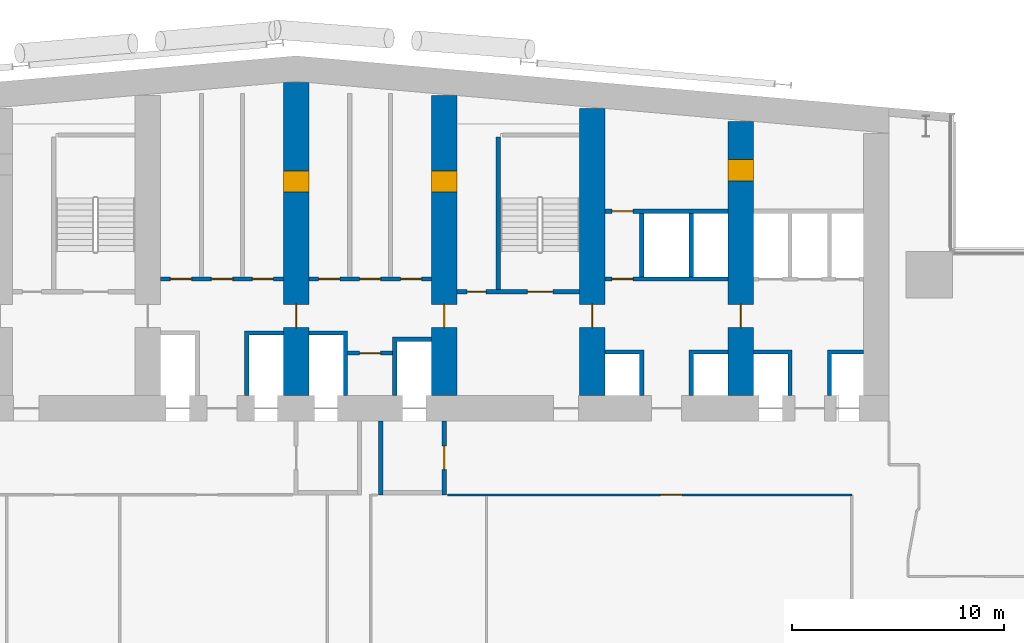
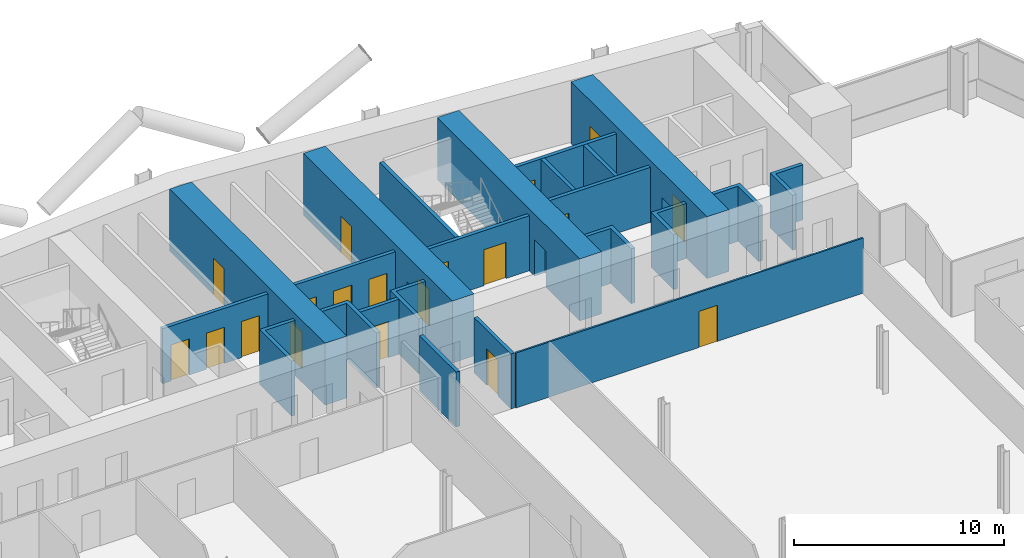
# One storey, part 15 of 25: 23 walls, 20 doors, 20 openings.
"""IFC4 building model written with IfcOpenShell, lengths in metres."""

from ifc_helpers import new_model, si_unit, direction, frame, frame_2d, origin, place, context, subcontext, project, spatial, polyline, rectangle, outline, extrude, material, layer, layer_set, type_object, element, fill, save


model = new_model("IFC4")

# Units and contexts
model_context = context("Model", 3, precision=1e-05, world=origin(), true_north=direction((0.0, 1.0)))
body_context = subcontext(model_context, "Body", "Model", "MODEL_VIEW")
ifc_project = project(units=[si_unit("LENGTHUNIT", "METRE"), si_unit("AREAUNIT", "SQUARE_METRE"), si_unit("VOLUMEUNIT", "CUBIC_METRE"), si_unit("PLANEANGLEUNIT", "RADIAN"), si_unit("MASSUNIT", "GRAM", prefix="KILO")], contexts=[model_context])

# Site, building, storey
site_placement = place(None, origin())
site = spatial("IfcSite", under=ifc_project, at=site_placement, CompositionType="ELEMENT")
building_placement = place(site_placement, origin())
building = spatial("IfcBuilding", under=site, at=building_placement, Name="Wharfspan Tower", CompositionType="ELEMENT")
storey_placement = place(building_placement, frame((0.0, 0.0, 63.100098)))
storey = spatial("IfcBuildingStorey", under=building, at=storey_placement, Name="L12", CompositionType="ELEMENT", Elevation=63.100098)

# Wall, opening, door
ifc_material_1 = material(Name="Gypsum board on steel studs", Category="steel")
ifc_layer_1 = layer(ifc_material_1, 0.100098)
ifc_layer_set_1 = layer_set([ifc_layer_1], Name="Gypsum board on steel studs")
wall_type_1 = type_object("IfcWallType", Name="Compartment wall 100 EI 60", PredefinedType="PARTITIONING", material=ifc_layer_set_1)
wall_1_placement = place(storey_placement, frame((44.149902, 30.5, 0.0), z_axis=(0.0, 0.0, 1.0), x_axis=(1.0, 0.0, 0.0)))
wall_1 = element("IfcWall", 1, at=wall_1_placement, inside=storey, type_object=wall_type_1, Name="Partition L12.w018 (2)", PredefinedType="PARTITIONING", context=body_context, shape_type="SweptSolid", body=[
    extrude(rectangle(XDim=19.100098, YDim=0.100098, at=frame_2d((9.550049, 0.0))), origin(), (0.0, 0.0, 1.0), 3.199951),
])
opening_1_placement = place(wall_1_placement, frame((10.070068, 0.0, 0.0)))
opening_1 = element("IfcOpeningElement", 2, at=opening_1_placement, cuts=wall_1, Name="Opening A3-17", PredefinedType="OPENING", context=body_context, shape_type="SweptSolid", body=[
    extrude(rectangle(XDim=1.0, YDim=2.100098, at=frame_2d((0.5, 1.050049))), frame((0.0, 0.060059, 0.0), z_axis=(0.0, -1.0, 0.0), x_axis=(1.0, 0.0, 0.0)), (0.0, 0.0, 1.0), 0.120117),
])
ifc_material_2 = material(Name="Fire-rated timber door leaf in steel frame", Category="steel")
door_type_1 = type_object("IfcDoorType", Name="Door 1000 FD30S Right", OperationType="SINGLE_SWING_RIGHT", PredefinedType="DOOR", material=ifc_material_2)
door_1_placement = place(opening_1_placement, origin())
door_1 = element("IfcDoor", 3, at=door_1_placement, inside=storey, type_object=door_type_1, Name="Door A3-17", OperationType="SINGLE_SWING_RIGHT", OverallHeight=2.100098, OverallWidth=1.0, PredefinedType="DOOR", context=body_context, shape_type="SweptSolid", body=[
    extrude(rectangle(XDim=1.0, YDim=2.100098, at=frame_2d((0.5, 1.050049))), frame((0.0, 0.024902, 0.0), z_axis=(0.0, -1.0, 0.0), x_axis=(1.0, 0.0, 0.0)), (0.0, 0.0, 1.0), 0.050049),
])
fill(opening_1, door_1)

ifc_material_3 = material(Name="Calcium silicate masonry", Category="masonry")
ifc_layer_2 = layer(ifc_material_3, 0.199951)
ifc_layer_set_2 = layer_set([ifc_layer_2], Name="Calcium silicate masonry")
wall_type_2 = type_object("IfcWallType", Name="Core room wall 200", PredefinedType="PARTITIONING", material=ifc_layer_set_2)
wall_2_placement = place(storey_placement, frame((39.43335, 37.199951, 0.0), z_axis=(0.0, 0.0, 1.0), x_axis=(1.0, 0.0, 0.0)))
wall_2 = element("IfcWall", 4, at=wall_2_placement, inside=storey, type_object=wall_type_2, Name="sw:L12:FR4.2", PredefinedType="PARTITIONING", context=body_context, shape_type="SweptSolid", body=[
    extrude(rectangle(XDim=2.133301, YDim=0.199951, at=frame_2d((1.06665, 0.0))), origin(), (0.0, 0.0, 1.0), 3.199951),
])
opening_2_placement = place(wall_2_placement, frame((0.56665, 0.0, 0.0)))
opening_2 = element("IfcOpeningElement", 5, at=opening_2_placement, cuts=wall_2, Name="Opening CD12.4H2", PredefinedType="OPENING", context=body_context, shape_type="SweptSolid", body=[
    extrude(rectangle(XDim=1.0, YDim=2.100098, at=frame_2d((0.5, 1.050049))), frame((0.0, 0.109863, 0.0), z_axis=(0.0, -1.0, 0.0), x_axis=(1.0, 0.0, 0.0)), (0.0, 0.0, 1.0), 0.219971),
])
ifc_material_4 = material(Name="Steel door leaf", Category="steel")
door_type_2 = type_object("IfcDoorType", Name="Core room door 1000x2100", OperationType="SINGLE_SWING_LEFT", PredefinedType="DOOR", material=ifc_material_4)
door_2_placement = place(opening_2_placement, origin())
door_2 = element("IfcDoor", 6, at=door_2_placement, inside=storey, type_object=door_type_2, Name="d:L12:4:fh4.2", OperationType="SINGLE_SWING_RIGHT", OverallHeight=2.100098, OverallWidth=1.0, PredefinedType="DOOR", context=body_context, shape_type="SweptSolid", body=[
    extrude(rectangle(XDim=1.0, YDim=2.100098, at=frame_2d((0.5, 1.050049))), frame((0.0, 0.024902, 0.0), z_axis=(0.0, -1.0, 0.0), x_axis=(1.0, 0.0, 0.0)), (0.0, 0.0, 1.0), 0.050049),
])
fill(opening_2, door_2)

# Wall, openings, doors
ifc_material_5 = material(Name="Concrete C70/85", Category="concrete")
ifc_layer_3 = layer(ifc_material_5, 1.199951)
ifc_layer_set_3 = layer_set([ifc_layer_3], Name="Concrete C70/85")
wall_type_3 = type_object("IfcWallType", Name="Core wall 1200 C70/85", PredefinedType="SHEAR", material=ifc_layer_set_3)
wall_3_placement = place(storey_placement, frame((37.0, 35.199951, 0.0), z_axis=(0.0, 0.0, 1.0), x_axis=(0.0, 1.0, 0.0)))
wall_3 = element("IfcWall", 7, at=wall_3_placement, inside=storey, type_object=wall_type_3, Name="Core cross wall X4 L12", PredefinedType="SHEAR", context=body_context, shape_type="SweptSolid", body=[
    extrude(rectangle(XDim=14.780029, YDim=1.199951, at=frame_2d((7.390137, 0.0))), origin(), (0.0, 0.0, 1.0), 3.599854),
])
opening_3_placement = place(wall_3_placement, frame((3.199951, 0.0, 0.0)))
opening_3 = element("IfcOpeningElement", 8, at=opening_3_placement, cuts=wall_3, Name="Opening CC12.4", PredefinedType="OPENING", context=body_context, shape_type="SweptSolid", body=[
    extrude(rectangle(XDim=1.100098, YDim=2.100098, at=frame_2d((0.550049, 1.050049))), frame((0.0, 0.609863, 0.0), z_axis=(0.0, -1.0, 0.0), x_axis=(1.0, 0.0, 0.0)), (0.0, 0.0, 1.0), 1.219971),
])
opening_4_placement = place(wall_3_placement, frame((9.600098, 0.0, 0.0)))
opening_4 = element("IfcOpeningElement", 9, at=opening_4_placement, cuts=wall_3, Name="Opening CR12.4", PredefinedType="OPENING", context=body_context, shape_type="SweptSolid", body=[
    extrude(rectangle(XDim=1.0, YDim=2.100098, at=frame_2d((0.5, 1.050049))), frame((0.0, 0.609863, 0.0), z_axis=(0.0, -1.0, 0.0), x_axis=(1.0, 0.0, 0.0)), (0.0, 0.0, 1.0), 1.219971),
])
door_type_3 = type_object("IfcDoorType", Name="Core corridor door 1100x2100", OperationType="SINGLE_SWING_LEFT", PredefinedType="DOOR", material=ifc_material_4)
door_3_placement = place(opening_3_placement, origin())
door_3 = element("IfcDoor", 10, at=door_3_placement, inside=storey, type_object=door_type_3, Name="xd:L12:4", OperationType="SINGLE_SWING_RIGHT", OverallHeight=2.100098, OverallWidth=1.100098, PredefinedType="DOOR", context=body_context, shape_type="SweptSolid", body=[
    extrude(rectangle(XDim=1.100098, YDim=2.100098, at=frame_2d((0.550049, 1.050049))), frame((0.0, 0.024902, 0.0), z_axis=(0.0, -1.0, 0.0), x_axis=(1.0, 0.0, 0.0)), (0.0, 0.0, 1.0), 0.050049),
])
fill(opening_3, door_3)
door_4_placement = place(opening_4_placement, origin())
door_4 = element("IfcDoor", 11, at=door_4_placement, inside=storey, type_object=door_type_2, Name="xr:L12:4", OperationType="SINGLE_SWING_RIGHT", OverallHeight=2.100098, OverallWidth=1.0, PredefinedType="DOOR", context=body_context, shape_type="SweptSolid", body=[
    extrude(rectangle(XDim=1.0, YDim=2.100098, at=frame_2d((0.5, 1.050049))), frame((0.0, 0.599609, 0.0), z_axis=(0.0, -1.0, 0.0), x_axis=(1.0, 0.0, 0.0)), (0.0, 0.0, 1.0), 1.199463),
])
fill(opening_4, door_4)

wall_4_placement = place(storey_placement, frame((44.0, 35.199951, 0.0), z_axis=(0.0, 0.0, 1.0), x_axis=(0.0, 1.0, 0.0)))
wall_4 = element("IfcWall", 12, at=wall_4_placement, inside=storey, type_object=wall_type_3, Name="Core cross wall X5 L12", PredefinedType="SHEAR", context=body_context, shape_type="SweptSolid", body=[
    extrude(rectangle(XDim=14.167725, YDim=1.199951, at=frame_2d((7.083984, 0.0))), origin(), (0.0, 0.0, 1.0), 3.599854),
])
opening_5_placement = place(wall_4_placement, frame((3.199951, 0.0, 0.0)))
opening_5 = element("IfcOpeningElement", 13, at=opening_5_placement, cuts=wall_4, Name="Opening CC12.5", PredefinedType="OPENING", context=body_context, shape_type="SweptSolid", body=[
    extrude(rectangle(XDim=1.100098, YDim=2.100098, at=frame_2d((0.550049, 1.050049))), frame((0.0, 0.609863, 0.0), z_axis=(0.0, -1.0, 0.0), x_axis=(1.0, 0.0, 0.0)), (0.0, 0.0, 1.0), 1.219971),
])
opening_6_placement = place(wall_4_placement, frame((9.600098, 0.0, 0.0)))
opening_6 = element("IfcOpeningElement", 14, at=opening_6_placement, cuts=wall_4, Name="Opening CR12.5", PredefinedType="OPENING", context=body_context, shape_type="SweptSolid", body=[
    extrude(rectangle(XDim=1.0, YDim=2.100098, at=frame_2d((0.5, 1.050049))), frame((0.0, 0.609863, 0.0), z_axis=(0.0, -1.0, 0.0), x_axis=(1.0, 0.0, 0.0)), (0.0, 0.0, 1.0), 1.219971),
])
door_5_placement = place(opening_5_placement, origin())
door_5 = element("IfcDoor", 15, at=door_5_placement, inside=storey, type_object=door_type_3, Name="xd:L12:5", OperationType="SINGLE_SWING_LEFT", OverallHeight=2.100098, OverallWidth=1.100098, PredefinedType="DOOR", context=body_context, shape_type="SweptSolid", body=[
    extrude(rectangle(XDim=1.100098, YDim=2.100098, at=frame_2d((0.550049, 1.050049))), frame((0.0, 0.024902, 0.0), z_axis=(0.0, -1.0, 0.0), x_axis=(1.0, 0.0, 0.0)), (0.0, 0.0, 1.0), 0.050049),
])
fill(opening_5, door_5)
door_6_placement = place(opening_6_placement, origin())
door_6 = element("IfcDoor", 16, at=door_6_placement, inside=storey, type_object=door_type_2, Name="xr:L12:5", OperationType="SINGLE_SWING_RIGHT", OverallHeight=2.100098, OverallWidth=1.0, PredefinedType="DOOR", context=body_context, shape_type="SweptSolid", body=[
    extrude(rectangle(XDim=1.0, YDim=2.100098, at=frame_2d((0.5, 1.050049))), frame((0.0, 0.599609, 0.0), z_axis=(0.0, -1.0, 0.0), x_axis=(1.0, 0.0, 0.0)), (0.0, 0.0, 1.0), 1.199463),
])
fill(opening_6, door_6)

# Wall, opening, door
wall_5_placement = place(storey_placement, frame((51.0, 35.199951, 0.0), z_axis=(0.0, 0.0, 1.0), x_axis=(0.0, 1.0, 0.0)))
wall_5 = element("IfcWall", 17, at=wall_5_placement, inside=storey, type_object=wall_type_3, Name="Core cross wall X6 L12", PredefinedType="SHEAR", context=body_context, shape_type="SweptSolid", body=[
    extrude(rectangle(XDim=13.555176, YDim=1.199951, at=frame_2d((6.777588, 0.0))), origin(), (0.0, 0.0, 1.0), 3.599854),
])
opening_7_placement = place(wall_5_placement, frame((3.199951, 0.0, 0.0)))
opening_7 = element("IfcOpeningElement", 18, at=opening_7_placement, cuts=wall_5, Name="Opening CC12.6", PredefinedType="OPENING", context=body_context, shape_type="SweptSolid", body=[
    extrude(rectangle(XDim=1.100098, YDim=2.100098, at=frame_2d((0.550049, 1.050049))), frame((0.0, 0.609863, 0.0), z_axis=(0.0, -1.0, 0.0), x_axis=(1.0, 0.0, 0.0)), (0.0, 0.0, 1.0), 1.219971),
])
door_7_placement = place(opening_7_placement, origin())
door_7 = element("IfcDoor", 19, at=door_7_placement, inside=storey, type_object=door_type_3, Name="xd:L12:6", OperationType="SINGLE_SWING_RIGHT", OverallHeight=2.100098, OverallWidth=1.100098, PredefinedType="DOOR", context=body_context, shape_type="SweptSolid", body=[
    extrude(rectangle(XDim=1.100098, YDim=2.100098, at=frame_2d((0.550049, 1.050049))), frame((0.0, 0.024902, 0.0), z_axis=(0.0, -1.0, 0.0), x_axis=(1.0, 0.0, 0.0)), (0.0, 0.0, 1.0), 0.050049),
])
fill(opening_7, door_7)

# Wall, openings, doors
wall_6_placement = place(storey_placement, frame((58.0, 35.199951, 0.0), z_axis=(0.0, 0.0, 1.0), x_axis=(0.0, 1.0, 0.0)))
wall_6 = element("IfcWall", 20, at=wall_6_placement, inside=storey, type_object=wall_type_3, Name="Core cross wall X7 L12", PredefinedType="SHEAR", context=body_context, shape_type="SweptSolid", body=[
    extrude(rectangle(XDim=12.942871, YDim=1.199951, at=frame_2d((6.471436, 0.0))), origin(), (0.0, 0.0, 1.0), 3.599854),
])
opening_8_placement = place(wall_6_placement, frame((10.133789, 0.0, 0.0)))
opening_8 = element("IfcOpeningElement", 21, at=opening_8_placement, cuts=wall_6, Name="Opening CD12.7X", PredefinedType="OPENING", context=body_context, shape_type="SweptSolid", body=[
    extrude(rectangle(XDim=1.0, YDim=2.100098, at=frame_2d((0.5, 1.050049))), frame((0.0, 0.609863, 0.0), z_axis=(0.0, -1.0, 0.0), x_axis=(1.0, 0.0, 0.0)), (0.0, 0.0, 1.0), 1.219971),
])
opening_9_placement = place(wall_6_placement, frame((3.199951, 0.0, 0.0)))
opening_9 = element("IfcOpeningElement", 22, at=opening_9_placement, cuts=wall_6, Name="Opening CC12.7", PredefinedType="OPENING", context=body_context, shape_type="SweptSolid", body=[
    extrude(rectangle(XDim=1.100098, YDim=2.100098, at=frame_2d((0.550049, 1.050049))), frame((0.0, 0.609863, 0.0), z_axis=(0.0, -1.0, 0.0), x_axis=(1.0, 0.0, 0.0)), (0.0, 0.0, 1.0), 1.219971),
])
door_8_placement = place(opening_9_placement, origin())
door_8 = element("IfcDoor", 23, at=door_8_placement, inside=storey, type_object=door_type_3, Name="xd:L12:7", OperationType="SINGLE_SWING_LEFT", OverallHeight=2.100098, OverallWidth=1.100098, PredefinedType="DOOR", context=body_context, shape_type="SweptSolid", body=[
    extrude(rectangle(XDim=1.100098, YDim=2.100098, at=frame_2d((0.550049, 1.050049))), frame((0.0, 0.024902, 0.0), z_axis=(0.0, -1.0, 0.0), x_axis=(1.0, 0.0, 0.0)), (0.0, 0.0, 1.0), 0.050049),
])
fill(opening_9, door_8)
door_9_placement = place(opening_8_placement, origin())
door_9 = element("IfcDoor", 24, at=door_9_placement, inside=storey, type_object=door_type_2, Name="d:L12:7:sx", OperationType="SINGLE_SWING_LEFT", OverallHeight=2.100098, OverallWidth=1.0, PredefinedType="DOOR", context=body_context, shape_type="SweptSolid", body=[
    extrude(rectangle(XDim=1.0, YDim=2.100098, at=frame_2d((0.5, 1.050049))), frame((0.0, 0.599609, 0.0), z_axis=(0.0, -1.0, 0.0), x_axis=(1.0, 0.0, 0.0)), (0.0, 0.0, 1.0), 1.199463),
])
fill(opening_8, door_9)

ifc_material_6 = material(Name="Concrete C30/37", Category="concrete")
ifc_layer_4 = layer(ifc_material_6, 0.199951)
ifc_layer_set_4 = layer_set([ifc_layer_4], Name="Concrete C30/37")
wall_type_4 = type_object("IfcWallType", Name="Lift shaft wall 200", PredefinedType="PARTITIONING", material=ifc_layer_set_4)
wall_7_placement = place(storey_placement, frame((30.600098, 40.699951, 0.0), z_axis=(0.0, 0.0, 1.0), x_axis=(1.0, 0.0, 0.0)))
wall_7 = element("IfcWall", 25, at=wall_7_placement, inside=storey, type_object=wall_type_4, Name="sw:L12:RF3", PredefinedType="PARTITIONING", context=body_context, shape_type="SweptSolid", body=[
    extrude(rectangle(XDim=5.799805, YDim=0.199951, at=frame_2d((2.899902, 0.0))), origin(), (0.0, 0.0, 1.0), 3.199951),
])
opening_10_placement = place(wall_7_placement, frame((0.466797, 0.0, 0.0)))
opening_10 = element("IfcOpeningElement", 26, at=opening_10_placement, cuts=wall_7, Name="Opening CD12.3S", PredefinedType="OPENING", context=body_context, shape_type="SweptSolid", body=[
    extrude(rectangle(XDim=1.0, YDim=2.100098, at=frame_2d((0.5, 1.050049))), frame((0.0, 0.109863, 0.0), z_axis=(0.0, -1.0, 0.0), x_axis=(1.0, 0.0, 0.0)), (0.0, 0.0, 1.0), 0.219971),
])
opening_11_placement = place(wall_7_placement, frame((2.399902, 0.0, 0.0)))
opening_11 = element("IfcOpeningElement", 27, at=opening_11_placement, cuts=wall_7, Name="Opening CD12.3Sa", PredefinedType="OPENING", context=body_context, shape_type="SweptSolid", body=[
    extrude(rectangle(XDim=1.0, YDim=2.100098, at=frame_2d((0.5, 1.050049))), frame((0.0, 0.109863, 0.0), z_axis=(0.0, -1.0, 0.0), x_axis=(1.0, 0.0, 0.0)), (0.0, 0.0, 1.0), 0.219971),
])
opening_12_placement = place(wall_7_placement, frame((4.333252, 0.0, 0.0)))
opening_12 = element("IfcOpeningElement", 28, at=opening_12_placement, cuts=wall_7, Name="Opening CD12.3Sb", PredefinedType="OPENING", context=body_context, shape_type="SweptSolid", body=[
    extrude(rectangle(XDim=1.0, YDim=2.100098, at=frame_2d((0.5, 1.050049))), frame((0.0, 0.109863, 0.0), z_axis=(0.0, -1.0, 0.0), x_axis=(1.0, 0.0, 0.0)), (0.0, 0.0, 1.0), 0.219971),
])
door_10_placement = place(opening_10_placement, origin())
door_10 = element("IfcDoor", 29, at=door_10_placement, inside=storey, type_object=door_type_2, Name="d:L12:3:sf", OperationType="SINGLE_SWING_LEFT", OverallHeight=2.100098, OverallWidth=1.0, PredefinedType="DOOR", context=body_context, shape_type="SweptSolid", body=[
    extrude(rectangle(XDim=1.0, YDim=2.100098, at=frame_2d((0.5, 1.050049))), frame((0.0, 0.024902, 0.0), z_axis=(0.0, -1.0, 0.0), x_axis=(1.0, 0.0, 0.0)), (0.0, 0.0, 1.0), 0.050049),
])
fill(opening_10, door_10)
door_11_placement = place(opening_11_placement, origin())
door_11 = element("IfcDoor", 30, at=door_11_placement, inside=storey, type_object=door_type_2, Name="d:L12:3:sf1", OperationType="SINGLE_SWING_LEFT", OverallHeight=2.100098, OverallWidth=1.0, PredefinedType="DOOR", context=body_context, shape_type="SweptSolid", body=[
    extrude(rectangle(XDim=1.0, YDim=2.100098, at=frame_2d((0.5, 1.050049))), frame((0.0, 0.024902, 0.0), z_axis=(0.0, -1.0, 0.0), x_axis=(1.0, 0.0, 0.0)), (0.0, 0.0, 1.0), 0.050049),
])
fill(opening_11, door_11)
door_12_placement = place(opening_12_placement, origin())
door_12 = element("IfcDoor", 31, at=door_12_placement, inside=storey, type_object=door_type_2, Name="d:L12:3:sf2", OperationType="SINGLE_SWING_LEFT", OverallHeight=2.100098, OverallWidth=1.0, PredefinedType="DOOR", context=body_context, shape_type="SweptSolid", body=[
    extrude(rectangle(XDim=1.0, YDim=2.100098, at=frame_2d((0.5, 1.050049))), frame((0.0, 0.024902, 0.0), z_axis=(0.0, -1.0, 0.0), x_axis=(1.0, 0.0, 0.0)), (0.0, 0.0, 1.0), 0.050049),
])
fill(opening_12, door_12)

# Wall
wall_8_placement = place(storey_placement, frame((0.0, 0.0, -0.000244)))
element("IfcWall", 32, at=wall_8_placement, inside=storey, type_object=wall_type_4, Name="sw:L12:FM3.1", PredefinedType="PARTITIONING", context=body_context, shape_type="SweptSolid", body=[
    extrude(outline(polyline([(34.56665, 38.25), (34.766602, 38.25), (36.399902, 38.25), (36.399902, 38.050049), (34.766602, 38.050049), (34.766602, 35.199951), (34.56665, 35.199951), (34.56665, 38.25)])), origin(), (0.0, 0.0, 1.0), 3.200195),
])

# Wall, openings, doors
wall_9_placement = place(storey_placement, frame((37.600098, 40.699951, 0.0), z_axis=(0.0, 0.0, 1.0), x_axis=(1.0, 0.0, 0.0)))
wall_9 = element("IfcWall", 33, at=wall_9_placement, inside=storey, type_object=wall_type_4, Name="sw:L12:RF4", PredefinedType="PARTITIONING", context=body_context, shape_type="SweptSolid", body=[
    extrude(rectangle(XDim=5.799805, YDim=0.199951, at=frame_2d((2.899902, 0.0))), origin(), (0.0, 0.0, 1.0), 3.199951),
])
opening_13_placement = place(wall_9_placement, frame((0.466797, 0.0, 0.0)))
opening_13 = element("IfcOpeningElement", 34, at=opening_13_placement, cuts=wall_9, Name="Opening CD12.4S", PredefinedType="OPENING", context=body_context, shape_type="SweptSolid", body=[
    extrude(rectangle(XDim=1.0, YDim=2.100098, at=frame_2d((0.5, 1.050049))), frame((0.0, 0.109863, 0.0), z_axis=(0.0, -1.0, 0.0), x_axis=(1.0, 0.0, 0.0)), (0.0, 0.0, 1.0), 0.219971),
])
opening_14_placement = place(wall_9_placement, frame((2.399902, 0.0, 0.0)))
opening_14 = element("IfcOpeningElement", 35, at=opening_14_placement, cuts=wall_9, Name="Opening CD12.4Sa", PredefinedType="OPENING", context=body_context, shape_type="SweptSolid", body=[
    extrude(rectangle(XDim=1.0, YDim=2.100098, at=frame_2d((0.5, 1.050049))), frame((0.0, 0.109863, 0.0), z_axis=(0.0, -1.0, 0.0), x_axis=(1.0, 0.0, 0.0)), (0.0, 0.0, 1.0), 0.219971),
])
opening_15_placement = place(wall_9_placement, frame((4.333252, 0.0, 0.0)))
opening_15 = element("IfcOpeningElement", 36, at=opening_15_placement, cuts=wall_9, Name="Opening CD12.4Sb", PredefinedType="OPENING", context=body_context, shape_type="SweptSolid", body=[
    extrude(rectangle(XDim=1.0, YDim=2.100098, at=frame_2d((0.5, 1.050049))), frame((0.0, 0.109863, 0.0), z_axis=(0.0, -1.0, 0.0), x_axis=(1.0, 0.0, 0.0)), (0.0, 0.0, 1.0), 0.219971),
])
door_13_placement = place(opening_13_placement, origin())
door_13 = element("IfcDoor", 37, at=door_13_placement, inside=storey, type_object=door_type_2, Name="d:L12:4:sf", OperationType="SINGLE_SWING_LEFT", OverallHeight=2.100098, OverallWidth=1.0, PredefinedType="DOOR", context=body_context, shape_type="SweptSolid", body=[
    extrude(rectangle(XDim=1.0, YDim=2.100098, at=frame_2d((0.5, 1.050049))), frame((0.0, 0.024902, 0.0), z_axis=(0.0, -1.0, 0.0), x_axis=(1.0, 0.0, 0.0)), (0.0, 0.0, 1.0), 0.050049),
])
fill(opening_13, door_13)
door_14_placement = place(opening_14_placement, origin())
door_14 = element("IfcDoor", 38, at=door_14_placement, inside=storey, type_object=door_type_2, Name="d:L12:4:sf1", OperationType="SINGLE_SWING_LEFT", OverallHeight=2.100098, OverallWidth=1.0, PredefinedType="DOOR", context=body_context, shape_type="SweptSolid", body=[
    extrude(rectangle(XDim=1.0, YDim=2.100098, at=frame_2d((0.5, 1.050049))), frame((0.0, 0.024902, 0.0), z_axis=(0.0, -1.0, 0.0), x_axis=(1.0, 0.0, 0.0)), (0.0, 0.0, 1.0), 0.050049),
])
fill(opening_14, door_14)
door_15_placement = place(opening_15_placement, origin())
door_15 = element("IfcDoor", 39, at=door_15_placement, inside=storey, type_object=door_type_2, Name="d:L12:4:sf2", OperationType="SINGLE_SWING_LEFT", OverallHeight=2.100098, OverallWidth=1.0, PredefinedType="DOOR", context=body_context, shape_type="SweptSolid", body=[
    extrude(rectangle(XDim=1.0, YDim=2.100098, at=frame_2d((0.5, 1.050049))), frame((0.0, 0.024902, 0.0), z_axis=(0.0, -1.0, 0.0), x_axis=(1.0, 0.0, 0.0)), (0.0, 0.0, 1.0), 0.050049),
])
fill(opening_15, door_15)

# Walls
wall_10_placement = place(storey_placement, frame((0.0, 0.0, -0.000244)))
element("IfcWall", 40, at=wall_10_placement, inside=storey, type_object=wall_type_4, Name="sw:L12:FM4.0", PredefinedType="PARTITIONING", context=body_context, shape_type="SweptSolid", body=[
    extrude(outline(polyline([(41.56665, 37.949951), (41.766602, 37.949951), (43.399902, 37.949951), (43.399902, 37.75), (41.766602, 37.75), (41.766602, 35.199951), (41.56665, 35.199951), (41.56665, 37.949951)])), origin(), (0.0, 0.0, 1.0), 3.200195),
])
wall_11_placement = place(storey_placement, frame((0.0, 0.0, -0.000244)))
element("IfcWall", 41, at=wall_11_placement, inside=storey, type_object=wall_type_4, Name="sw:L12:FM4.1", PredefinedType="PARTITIONING", context=body_context, shape_type="SweptSolid", body=[
    extrude(outline(polyline([(39.233398, 38.050049), (37.600098, 38.050049), (37.600098, 38.25), (39.233398, 38.25), (39.43335, 38.25), (39.43335, 35.199951), (39.233398, 35.199951), (39.233398, 38.050049)])), origin(), (0.0, 0.0, 1.0), 3.200195),
])

# Wall, opening, door
wall_12_placement = place(storey_placement, frame((51.600098, 40.699951, 0.0), z_axis=(0.0, 0.0, 1.0), x_axis=(1.0, 0.0, 0.0)))
wall_12 = element("IfcWall", 42, at=wall_12_placement, inside=storey, type_object=wall_type_4, Name="sw:L12:RF6", PredefinedType="PARTITIONING", context=body_context, shape_type="SweptSolid", body=[
    extrude(rectangle(XDim=5.799805, YDim=0.199951, at=frame_2d((2.899902, 0.0))), origin(), (0.0, 0.0, 1.0), 3.199951),
])
opening_16_placement = place(wall_12_placement, frame((0.31665, 0.0, 0.0)))
opening_16 = element("IfcOpeningElement", 43, at=opening_16_placement, cuts=wall_12, Name="Opening CD12.6R1", PredefinedType="OPENING", context=body_context, shape_type="SweptSolid", body=[
    extrude(rectangle(XDim=1.0, YDim=2.100098, at=frame_2d((0.5, 1.050049))), frame((0.0, 0.109863, 0.0), z_axis=(0.0, -1.0, 0.0), x_axis=(1.0, 0.0, 0.0)), (0.0, 0.0, 1.0), 0.219971),
])
door_16_placement = place(opening_16_placement, origin())
door_16 = element("IfcDoor", 44, at=door_16_placement, inside=storey, type_object=door_type_2, Name="d:L12:6:rd6.1", OperationType="SINGLE_SWING_RIGHT", OverallHeight=2.100098, OverallWidth=1.0, PredefinedType="DOOR", context=body_context, shape_type="SweptSolid", body=[
    extrude(rectangle(XDim=1.0, YDim=2.100098, at=frame_2d((0.5, 1.050049))), frame((0.0, 0.024902, 0.0), z_axis=(0.0, -1.0, 0.0), x_axis=(1.0, 0.0, 0.0)), (0.0, 0.0, 1.0), 0.050049),
])
fill(opening_16, door_16)

wall_13_placement = place(storey_placement, frame((51.600098, 43.899902, 0.0), z_axis=(0.0, 0.0, 1.0), x_axis=(1.0, 0.0, 0.0)))
wall_13 = element("IfcWall", 45, at=wall_13_placement, inside=storey, type_object=wall_type_4, Name="sw:L12:RR6", PredefinedType="PARTITIONING", context=body_context, shape_type="SweptSolid", body=[
    extrude(rectangle(XDim=5.799805, YDim=0.199951, at=frame_2d((2.899902, 0.0))), origin(), (0.0, 0.0, 1.0), 3.199951),
])
opening_17_placement = place(wall_13_placement, frame((0.31665, 0.0, 0.0)))
opening_17 = element("IfcOpeningElement", 46, at=opening_17_placement, cuts=wall_13, Name="Opening CD12.6S1", PredefinedType="OPENING", context=body_context, shape_type="SweptSolid", body=[
    extrude(rectangle(XDim=1.0, YDim=2.100098, at=frame_2d((0.5, 1.050049))), frame((0.0, 0.109863, 0.0), z_axis=(0.0, -1.0, 0.0), x_axis=(1.0, 0.0, 0.0)), (0.0, 0.0, 1.0), 0.219971),
])
door_17_placement = place(opening_17_placement, origin())
door_17 = element("IfcDoor", 47, at=door_17_placement, inside=storey, type_object=door_type_2, Name="d:L12:6:rs6.1", OperationType="SINGLE_SWING_LEFT", OverallHeight=2.100098, OverallWidth=1.0, PredefinedType="DOOR", context=body_context, shape_type="SweptSolid", body=[
    extrude(rectangle(XDim=1.0, YDim=2.100098, at=frame_2d((0.5, 1.050049))), frame((0.0, 0.024902, 0.0), z_axis=(0.0, -1.0, 0.0), x_axis=(1.0, 0.0, 0.0)), (0.0, 0.0, 1.0), 0.050049),
])
fill(opening_17, door_17)

# Walls
wall_14_placement = place(storey_placement, frame((0.0, 0.0, -0.000244)))
element("IfcWall", 48, at=wall_14_placement, inside=storey, type_object=wall_type_4, Name="sw:L12:FM6.0", PredefinedType="PARTITIONING", context=body_context, shape_type="SweptSolid", body=[
    extrude(outline(polyline([(53.233398, 37.149902), (51.600098, 37.149902), (51.600098, 37.350098), (53.233398, 37.350098), (53.43335, 37.350098), (53.43335, 35.199951), (53.233398, 35.199951), (53.233398, 37.149902)])), origin(), (0.0, 0.0, 1.0), 3.200195),
])
wall_15_placement = place(storey_placement, frame((0.0, 0.0, -0.000244)))
element("IfcWall", 49, at=wall_15_placement, inside=storey, type_object=wall_type_4, Name="sw:L12:FM6.1", PredefinedType="PARTITIONING", context=body_context, shape_type="SweptSolid", body=[
    extrude(outline(polyline([(55.56665, 37.350098), (55.766602, 37.350098), (57.399902, 37.350098), (57.399902, 37.149902), (55.766602, 37.149902), (55.766602, 35.199951), (55.56665, 35.199951), (55.56665, 37.350098)])), origin(), (0.0, 0.0, 1.0), 3.200195),
])
wall_16_placement = place(storey_placement, frame((0.0, 0.0, -0.000244)))
element("IfcWall", 50, at=wall_16_placement, inside=storey, type_object=wall_type_4, Name="sw:L12:RM6.0", PredefinedType="PARTITIONING", context=body_context, shape_type="SweptSolid", body=[
    extrude(outline(polyline([(53.233398, 40.800049), (53.233398, 43.800049), (53.43335, 43.800049), (53.43335, 40.800049), (53.233398, 40.800049)])), origin(), (0.0, 0.0, 1.0), 3.200195),
])
wall_17_placement = place(storey_placement, frame((0.0, 0.0, -0.000244)))
element("IfcWall", 51, at=wall_17_placement, inside=storey, type_object=wall_type_4, Name="sw:L12:RM6.1", PredefinedType="PARTITIONING", context=body_context, shape_type="SweptSolid", body=[
    extrude(outline(polyline([(55.56665, 40.800049), (55.56665, 43.800049), (55.766602, 43.800049), (55.766602, 40.800049), (55.56665, 40.800049)])), origin(), (0.0, 0.0, 1.0), 3.200195),
])
wall_18_placement = place(storey_placement, frame((0.0, 0.0, -0.000244)))
element("IfcWall", 52, at=wall_18_placement, inside=storey, type_object=wall_type_4, Name="sw:L12:FM7.0", PredefinedType="PARTITIONING", context=body_context, shape_type="SweptSolid", body=[
    extrude(outline(polyline([(60.233398, 37.149902), (58.600098, 37.149902), (58.600098, 37.350098), (60.233398, 37.350098), (60.43335, 37.350098), (60.43335, 35.199951), (60.233398, 35.199951), (60.233398, 37.149902)])), origin(), (0.0, 0.0, 1.0), 3.200195),
])
wall_19_placement = place(storey_placement, frame((0.0, 0.0, -0.000244)))
element("IfcWall", 53, at=wall_19_placement, inside=storey, type_object=wall_type_4, Name="sw:L12:FM7.1", PredefinedType="PARTITIONING", context=body_context, shape_type="SweptSolid", body=[
    extrude(outline(polyline([(62.100098, 37.350098), (62.300049, 37.350098), (63.800049, 37.350098), (63.800049, 37.149902), (62.300049, 37.149902), (62.300049, 35.199951), (62.100098, 35.199951), (62.100098, 37.350098)])), origin(), (0.0, 0.0, 1.0), 3.200195),
])
ifc_layer_5 = layer(ifc_material_6, 0.199951)
ifc_layer_set_5 = layer_set([ifc_layer_5], Name="Concrete C30/37")
wall_type_5 = type_object("IfcWallType", Name="Lobby wall 200", PredefinedType="PARTITIONING", material=ifc_layer_set_5)
wall_20_placement = place(storey_placement, frame((41.0, 30.5, 0.0), z_axis=(0.0, 0.0, 1.0), x_axis=(0.0, 1.0, 0.0)))
element("IfcWall", 54, at=wall_20_placement, inside=storey, type_object=wall_type_5, Name="sw:L12:FLFF2W", PredefinedType="PARTITIONING", context=body_context, shape_type="SweptSolid", body=[
    extrude(rectangle(XDim=3.5, YDim=0.199951, at=frame_2d((1.75, 0.0))), origin(), (0.0, 0.0, 1.0), 3.199951),
])

# Wall, opening, door
wall_21_placement = place(storey_placement, frame((44.0, 30.5, 0.0), z_axis=(0.0, 0.0, 1.0), x_axis=(0.0, 1.0, 0.0)))
wall_21 = element("IfcWall", 55, at=wall_21_placement, inside=storey, type_object=wall_type_5, Name="sw:L12:FLFF2E", PredefinedType="PARTITIONING", context=body_context, shape_type="SweptSolid", body=[
    extrude(rectangle(XDim=3.5, YDim=0.199951, at=frame_2d((1.75, 0.0))), origin(), (0.0, 0.0, 1.0), 3.199951),
])
opening_18_placement = place(wall_21_placement, frame((1.199951, 0.0, 0.0)))
opening_18 = element("IfcOpeningElement", 56, at=opening_18_placement, cuts=wall_21, Name="Opening FL.FF2.L12", PredefinedType="OPENING", context=body_context, shape_type="SweptSolid", body=[
    extrude(rectangle(XDim=1.100098, YDim=2.100098, at=frame_2d((0.550049, 1.050049))), frame((0.0, 0.109863, 0.0), z_axis=(0.0, -1.0, 0.0), x_axis=(1.0, 0.0, 0.0)), (0.0, 0.0, 1.0), 0.219971),
])
door_type_4 = type_object("IfcDoorType", Name="Firefighting lobby door 1100x2100", OperationType="SINGLE_SWING_LEFT", PredefinedType="DOOR", material=ifc_material_4)
door_18_placement = place(opening_18_placement, origin())
door_18 = element("IfcDoor", 57, at=door_18_placement, inside=storey, type_object=door_type_4, Name="fd:L12:FF2", OperationType="SINGLE_SWING_LEFT", OverallHeight=2.100098, OverallWidth=1.100098, PredefinedType="DOOR", context=body_context, shape_type="SweptSolid", body=[
    extrude(rectangle(XDim=1.100098, YDim=2.100098, at=frame_2d((0.550049, 1.050049))), frame((0.0, 0.024902, 0.0), z_axis=(0.0, -1.0, 0.0), x_axis=(1.0, 0.0, 0.0)), (0.0, 0.0, 1.0), 0.050049),
])
fill(opening_18, door_18)

# Wall, openings, doors
ifc_material_7 = material(Name="Concrete C40/50", Category="concrete")
ifc_layer_6 = layer(ifc_material_7, 0.199951)
ifc_layer_set_6 = layer_set([ifc_layer_6], Name="Concrete C40/50")
wall_type_6 = type_object("IfcWallType", Name="Stair shaft wall 200", PredefinedType="SHEAR", material=ifc_layer_set_6)
wall_22_placement = place(storey_placement, frame((44.600098, 40.100098, 0.0), z_axis=(0.0, 0.0, 1.0), x_axis=(1.0, 0.0, 0.0)))
wall_22 = element("IfcWall", 58, at=wall_22_placement, inside=storey, type_object=wall_type_6, Name="ST2 stair enclosure wall L12", PredefinedType="SHEAR", context=body_context, shape_type="SweptSolid", body=[
    extrude(rectangle(XDim=5.799805, YDim=0.199951, at=frame_2d((2.899902, 0.0))), origin(), (0.0, 0.0, 1.0), 3.199951),
])
opening_19_placement = place(wall_22_placement, frame((3.324951, 0.0, 0.0)))
opening_19 = element("IfcOpeningElement", 59, at=opening_19_placement, cuts=wall_22, Name="Opening SD5.L12", PredefinedType="OPENING", context=body_context, shape_type="SweptSolid", body=[
    extrude(rectangle(XDim=1.199951, YDim=2.100098, at=frame_2d((0.600098, 1.050049))), frame((0.0, 0.109863, 0.0), z_axis=(0.0, -1.0, 0.0), x_axis=(1.0, 0.0, 0.0)), (0.0, 0.0, 1.0), 0.219971),
])
opening_20_placement = place(wall_22_placement, frame((0.475098, 0.0, 0.0)))
opening_20 = element("IfcOpeningElement", 60, at=opening_20_placement, cuts=wall_22, Name="Opening CD12.5R", PredefinedType="OPENING", context=body_context, shape_type="SweptSolid", body=[
    extrude(rectangle(XDim=0.899902, YDim=2.100098, at=frame_2d((0.449951, 1.050049))), frame((0.0, 0.109863, 0.0), z_axis=(0.0, -1.0, 0.0), x_axis=(1.0, 0.0, 0.0)), (0.0, 0.0, 1.0), 0.219971),
])
door_19_placement = place(opening_20_placement, origin())
door_19 = element("IfcDoor", 61, at=door_19_placement, inside=storey, type_object=door_type_2, Name="rk:L12:5", OperationType="SINGLE_SWING_LEFT", OverallHeight=2.100098, OverallWidth=0.899902, PredefinedType="DOOR", context=body_context, shape_type="SweptSolid", body=[
    extrude(rectangle(XDim=0.899902, YDim=2.100098, at=frame_2d((0.449951, 1.050049))), frame((0.0, 0.024902, 0.0), z_axis=(0.0, -1.0, 0.0), x_axis=(1.0, 0.0, 0.0)), (0.0, 0.0, 1.0), 0.050049),
])
fill(opening_20, door_19)
door_type_5 = type_object("IfcDoorType", Name="Stair door 1200x2100", OperationType="SINGLE_SWING_LEFT", PredefinedType="DOOR", material=ifc_material_4)
door_20_placement = place(opening_19_placement, origin())
door_20 = element("IfcDoor", 62, at=door_20_placement, inside=storey, type_object=door_type_5, Name="sd:L12:5", OperationType="SINGLE_SWING_RIGHT", OverallHeight=2.100098, OverallWidth=1.199951, PredefinedType="DOOR", context=body_context, shape_type="SweptSolid", body=[
    extrude(rectangle(XDim=1.199951, YDim=2.100098, at=frame_2d((0.600098, 1.050049))), frame((0.0, 0.024902, 0.0), z_axis=(0.0, -1.0, 0.0), x_axis=(1.0, 0.0, 0.0)), (0.0, 0.0, 1.0), 0.050049),
])
fill(opening_19, door_20)

# Wall
wall_23_placement = place(storey_placement, frame((46.550049, 40.199951, 0.0), z_axis=(0.0, 0.0, 1.0), x_axis=(0.0, 1.0, 0.0)))
element("IfcWall", 63, at=wall_23_placement, inside=storey, type_object=wall_type_6, Name="ST2 stair enclosure wall L12", PredefinedType="SHEAR", context=body_context, shape_type="SweptSolid", body=[
    extrude(rectangle(XDim=7.199951, YDim=0.199951, at=frame_2d((3.600098, 0.0))), origin(), (0.0, 0.0, 1.0), 3.199951),
])

save(model, "model.ifc")
